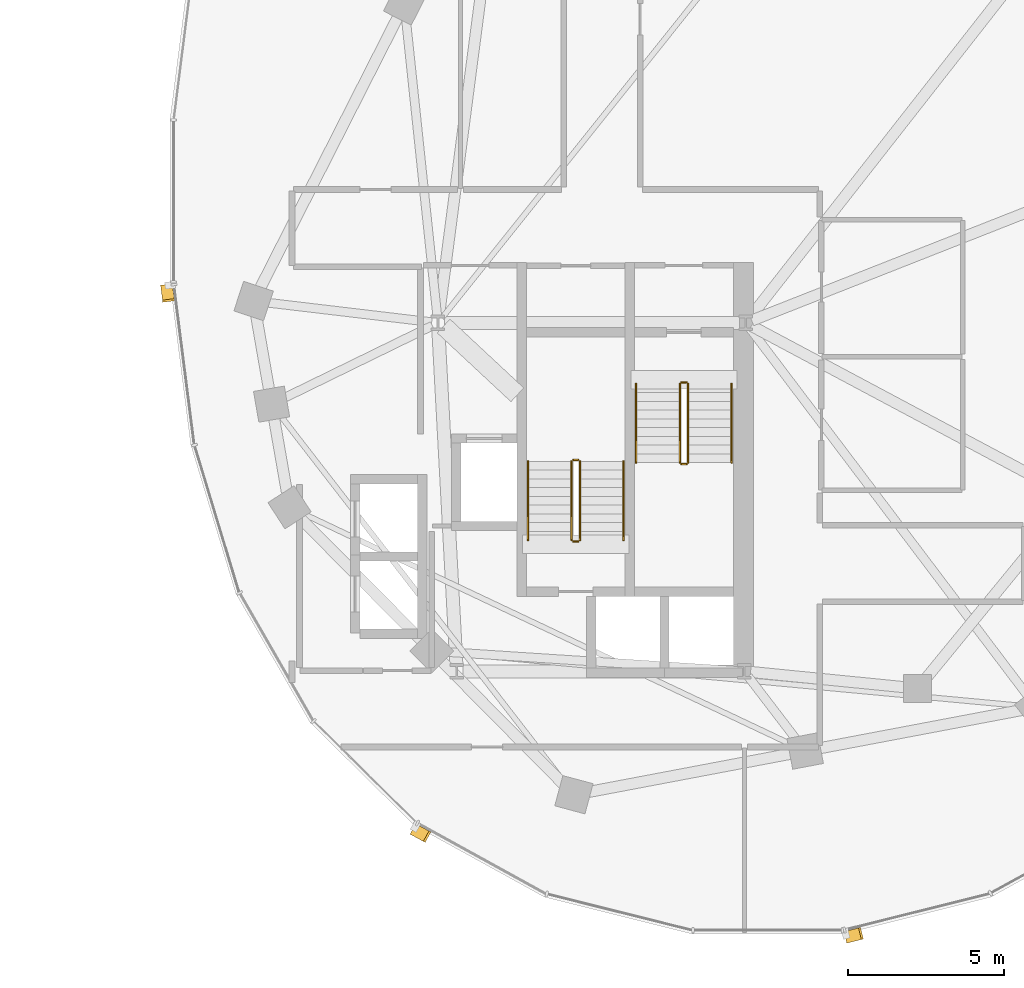
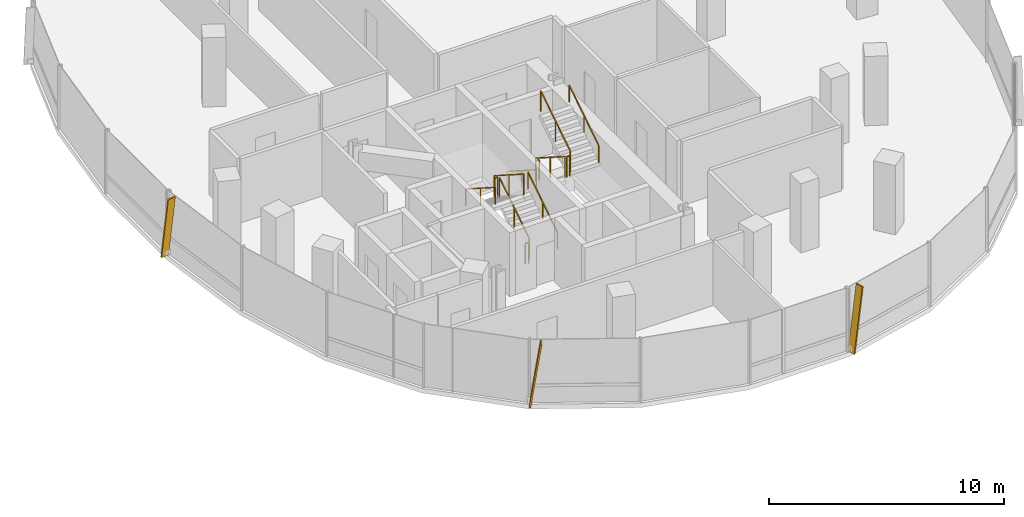
# One storey, part 20 of 21: 12 railings, 3 shading devices.
"""IFC4 building model written with IfcOpenShell, lengths in metres."""

from ifc_helpers import new_model, si_unit, direction, frame, origin, origin_2d, place, context, subcontext, project, spatial, rectangle, extrude, material, material_profile, profile_set, type_object, element, save


model = new_model("IFC4")

# Units and contexts
model_context = context("Model", 3, precision=1e-05, world=origin(), true_north=direction((0.0, 1.0)))
body_context = subcontext(model_context, "Body", "Model", "MODEL_VIEW")
ifc_project = project(units=[si_unit("LENGTHUNIT", "METRE"), si_unit("AREAUNIT", "SQUARE_METRE"), si_unit("VOLUMEUNIT", "CUBIC_METRE"), si_unit("PLANEANGLEUNIT", "RADIAN"), si_unit("MASSUNIT", "GRAM", prefix="KILO"), si_unit("THERMODYNAMICTEMPERATUREUNIT", "KELVIN"), si_unit("POWERUNIT", "WATT")], contexts=[model_context])

# Site, building, storey
site_placement = place(None, origin())
site = spatial("IfcSite", under=ifc_project, at=site_placement, CompositionType="ELEMENT")
building_placement = place(site_placement, origin())
building = spatial("IfcBuilding", under=site, at=building_placement, Name="Cundina Bronze Exchange", CompositionType="ELEMENT")
storey_placement = place(building_placement, frame((0.0, 0.0, 183.60009765625)))
storey = spatial("IfcBuildingStorey", under=building, at=storey_placement, Name="L48", CompositionType="ELEMENT", Elevation=183.60009765625)

# Railings
ifc_material_1 = material(Name="Steel ASTM A36 Painted", Category="steel")
railing_type_1 = type_object("IfcRailingType", Name="RLG-HND-900", PredefinedType="HANDRAIL", material=ifc_material_1)
railing_1_placement = place(storey_placement, frame((27.7900390625, -5.85009765625, 0.179931640625)))
element("IfcRailing", 1, at=railing_1_placement, inside=storey, type_object=railing_type_1, Name="L48 ST-E1 stair handrail 1", PredefinedType="HANDRAIL", context=body_context, shape_type="SweptSolid", body=[
    extrude(rectangle(XDim=0.048095703125, YDim=0.048095703125, at=origin_2d()), frame((0.0, 0.0, 0.8759765625), z_axis=(0.0, -0.841199657755, 0.540724639528), x_axis=(1.0, 0.0, 0.0)), (0.0, 0.0, 1.0), 2.995849609375),
    extrude(rectangle(XDim=0.0419921875, YDim=0.0419921875, at=origin_2d()), origin(), (0.0, 0.0, 1.0), 0.851806640625),
    extrude(rectangle(XDim=0.0419921875, YDim=0.0419921875, at=origin_2d()), frame((0.0, -1.260009765625, 0.81005859375)), (0.0, 0.0, 1.0), 0.851806640625),
    extrude(rectangle(XDim=0.0419921875, YDim=0.0419921875, at=origin_2d()), frame((0.0, -2.52001953125, 1.619873046875)), (0.0, 0.0, 1.0), 0.851806640625),
])
for number, where, name in (
    (2, (30.85009765625, -8.3701171875, 1.97998046875), "L48 ST-E1 stair handrail 2"),
    (3, (27.389892578125, -10.85009765625, 0.179931640625), "L48 ST-E2 stair handrail 1"),
):
    element("IfcRailing", number, at=place(storey_placement, frame(where)), inside=storey, type_object=railing_type_1, Name=name, PredefinedType="HANDRAIL", context=body_context, shape_type="SweptSolid", body=[
        extrude(rectangle(XDim=0.048095703125, YDim=0.048095703125, at=origin_2d()), frame((0.0, 0.0, 0.8759765625), z_axis=(0.0, 0.841199657755, 0.540724639528), x_axis=(-1.0, 0.0, 0.0)), (0.0, 0.0, 1.0), 2.995849609375),
        extrude(rectangle(XDim=0.0419921875, YDim=0.0419921875, at=origin_2d()), origin(), (0.0, 0.0, 1.0), 0.851806640625),
        extrude(rectangle(XDim=0.0419921875, YDim=0.0419921875, at=origin_2d()), frame((0.0, 1.260009765625, 0.81005859375)), (0.0, 0.0, 1.0), 0.851806640625),
        extrude(rectangle(XDim=0.0419921875, YDim=0.0419921875, at=origin_2d()), frame((0.0, 2.52001953125, 1.619873046875)), (0.0, 0.0, 1.0), 0.851806640625),
    ])
railing_2_placement = place(storey_placement, frame((24.330078125, -8.330078125, 1.97998046875)))
element("IfcRailing", 4, at=railing_2_placement, inside=storey, type_object=railing_type_1, Name="L48 ST-E2 stair handrail 2", PredefinedType="HANDRAIL", context=body_context, shape_type="SweptSolid", body=[
    extrude(rectangle(XDim=0.048095703125, YDim=0.048095703125, at=origin_2d()), frame((0.0, 0.0, 0.8759765625), z_axis=(0.0, -0.841199657755, 0.540724639528), x_axis=(1.0, 0.0, 0.0)), (0.0, 0.0, 1.0), 2.995849609375),
    extrude(rectangle(XDim=0.0419921875, YDim=0.0419921875, at=origin_2d()), origin(), (0.0, 0.0, 1.0), 0.851806640625),
    extrude(rectangle(XDim=0.0419921875, YDim=0.0419921875, at=origin_2d()), frame((0.0, -1.260009765625, 0.81005859375)), (0.0, 0.0, 1.0), 0.851806640625),
    extrude(rectangle(XDim=0.0419921875, YDim=0.0419921875, at=origin_2d()), frame((0.0, -2.52001953125, 1.619873046875)), (0.0, 0.0, 1.0), 0.851806640625),
])
railing_type_2 = type_object("IfcRailingType", Name="RLG-STG-1100", PredefinedType="GUARDRAIL", material=ifc_material_1)
railing_3_placement = place(storey_placement, frame((29.18994140625, -5.85009765625, 0.179931640625)))
element("IfcRailing", 5, at=railing_3_placement, inside=storey, type_object=railing_type_2, Name="L48 ST-E1 stair guard 1", PredefinedType="GUARDRAIL", context=body_context, shape_type="SweptSolid", body=[
    extrude(rectangle(XDim=0.048095703125, YDim=0.048095703125, at=origin_2d()), frame((0.0, 0.0, 1.076171875), z_axis=(0.0, -0.841199657755, 0.540724639528), x_axis=(1.0, 0.0, 0.0)), (0.0, 0.0, 1.0), 2.995849609375),
    extrude(rectangle(XDim=0.0419921875, YDim=0.0419921875, at=origin_2d()), origin(), (0.0, 0.0, 1.0), 1.052001953125),
    extrude(rectangle(XDim=0.0419921875, YDim=0.0419921875, at=origin_2d()), frame((0.0, -1.260009765625, 0.81005859375)), (0.0, 0.0, 1.0), 1.052001953125),
    extrude(rectangle(XDim=0.0419921875, YDim=0.0419921875, at=origin_2d()), frame((0.0, -2.52001953125, 1.619873046875)), (0.0, 0.0, 1.0), 1.052001953125),
])
railing_4_placement = place(storey_placement, frame((29.239990234375, -8.419921875, 1.7998046875)))
element("IfcRailing", 6, at=railing_4_placement, inside=storey, type_object=railing_type_2, Name="L48 ST-E1 stair guard 2", PredefinedType="GUARDRAIL", context=body_context, shape_type="SweptSolid", body=[
    extrude(rectangle(XDim=0.048095703125, YDim=0.048095703125, at=origin_2d()), frame((0.0, 0.0, 1.076171875), z_axis=(1.0, 0.0, 0.0), x_axis=(0.0, 1.0, 0.0)), (0.0, 0.0, 1.0), 0.159912109375),
    extrude(rectangle(XDim=0.0419921875, YDim=0.0419921875, at=origin_2d()), origin(), (0.0, 0.0, 1.0), 1.052001953125),
    extrude(rectangle(XDim=0.0419921875, YDim=0.0419921875, at=origin_2d()), frame((0.159912109375, 0.0, 0.0)), (0.0, 0.0, 1.0), 1.052001953125),
])
railing_5_placement = place(storey_placement, frame((29.449951171875, -8.3701171875, 1.97998046875)))
element("IfcRailing", 7, at=railing_5_placement, inside=storey, type_object=railing_type_2, Name="L48 ST-E1 stair guard 3", PredefinedType="GUARDRAIL", context=body_context, shape_type="SweptSolid", body=[
    extrude(rectangle(XDim=0.048095703125, YDim=0.048095703125, at=origin_2d()), frame((0.0, 0.0, 1.076171875), z_axis=(0.0, 0.841199657755, 0.540724639528), x_axis=(-1.0, 0.0, 0.0)), (0.0, 0.0, 1.0), 2.995849609375),
    extrude(rectangle(XDim=0.0419921875, YDim=0.0419921875, at=origin_2d()), origin(), (0.0, 0.0, 1.0), 1.052001953125),
    extrude(rectangle(XDim=0.0419921875, YDim=0.0419921875, at=origin_2d()), frame((0.0, 1.260009765625, 0.81005859375)), (0.0, 0.0, 1.0), 1.052001953125),
    extrude(rectangle(XDim=0.0419921875, YDim=0.0419921875, at=origin_2d()), frame((0.0, 2.52001953125, 1.619873046875)), (0.0, 0.0, 1.0), 1.052001953125),
])
railing_6_placement = place(storey_placement, frame((29.239990234375, -5.800048828125, 0.0)))
element("IfcRailing", 8, at=railing_6_placement, inside=storey, type_object=railing_type_2, Name="L48 ST-E1 stair guard 4", PredefinedType="GUARDRAIL", context=body_context, shape_type="SweptSolid", body=[
    extrude(rectangle(XDim=0.048095703125, YDim=0.048095703125, at=origin_2d()), frame((0.0, 0.0, 1.076171875), z_axis=(1.0, 0.0, 0.0), x_axis=(0.0, 1.0, 0.0)), (0.0, 0.0, 1.0), 0.159912109375),
    extrude(rectangle(XDim=0.0419921875, YDim=0.0419921875, at=origin_2d()), origin(), (0.0, 0.0, 1.0), 1.052001953125),
    extrude(rectangle(XDim=0.0419921875, YDim=0.0419921875, at=origin_2d()), frame((0.159912109375, 0.0, 0.0)), (0.0, 0.0, 1.0), 1.052001953125),
])
railing_7_placement = place(storey_placement, frame((25.989990234375, -10.85009765625, 0.179931640625)))
element("IfcRailing", 9, at=railing_7_placement, inside=storey, type_object=railing_type_2, Name="L48 ST-E2 stair guard 1", PredefinedType="GUARDRAIL", context=body_context, shape_type="SweptSolid", body=[
    extrude(rectangle(XDim=0.048095703125, YDim=0.048095703125, at=origin_2d()), frame((0.0, 0.0, 1.076171875), z_axis=(0.0, 0.841199657755, 0.540724639528), x_axis=(-1.0, 0.0, 0.0)), (0.0, 0.0, 1.0), 2.995849609375),
    extrude(rectangle(XDim=0.0419921875, YDim=0.0419921875, at=origin_2d()), origin(), (0.0, 0.0, 1.0), 1.052001953125),
    extrude(rectangle(XDim=0.0419921875, YDim=0.0419921875, at=origin_2d()), frame((0.0, 1.260009765625, 0.81005859375)), (0.0, 0.0, 1.0), 1.052001953125),
    extrude(rectangle(XDim=0.0419921875, YDim=0.0419921875, at=origin_2d()), frame((0.0, 2.52001953125, 1.619873046875)), (0.0, 0.0, 1.0), 1.052001953125),
])
railing_8_placement = place(storey_placement, frame((25.93994140625, -8.280029296875, 1.7998046875)))
element("IfcRailing", 10, at=railing_8_placement, inside=storey, type_object=railing_type_2, Name="L48 ST-E2 stair guard 2", PredefinedType="GUARDRAIL", context=body_context, shape_type="SweptSolid", body=[
    extrude(rectangle(XDim=0.048095703125, YDim=0.048095703125, at=origin_2d()), frame((0.0, 0.0, 1.076171875), z_axis=(-1.0, 0.0, 0.0), x_axis=(0.0, -1.0, 0.0)), (0.0, 0.0, 1.0), 0.159912109375),
    extrude(rectangle(XDim=0.0419921875, YDim=0.0419921875, at=origin_2d()), origin(), (0.0, 0.0, 1.0), 1.052001953125),
    extrude(rectangle(XDim=0.0419921875, YDim=0.0419921875, at=origin_2d()), frame((-0.159912109375, 0.0, 0.0)), (0.0, 0.0, 1.0), 1.052001953125),
])
railing_9_placement = place(storey_placement, frame((25.72998046875, -8.330078125, 1.97998046875)))
element("IfcRailing", 11, at=railing_9_placement, inside=storey, type_object=railing_type_2, Name="L48 ST-E2 stair guard 3", PredefinedType="GUARDRAIL", context=body_context, shape_type="SweptSolid", body=[
    extrude(rectangle(XDim=0.048095703125, YDim=0.048095703125, at=origin_2d()), frame((0.0, 0.0, 1.076171875), z_axis=(0.0, -0.841199657755, 0.540724639528), x_axis=(1.0, 0.0, 0.0)), (0.0, 0.0, 1.0), 2.995849609375),
    extrude(rectangle(XDim=0.0419921875, YDim=0.0419921875, at=origin_2d()), origin(), (0.0, 0.0, 1.0), 1.052001953125),
    extrude(rectangle(XDim=0.0419921875, YDim=0.0419921875, at=origin_2d()), frame((0.0, -1.260009765625, 0.81005859375)), (0.0, 0.0, 1.0), 1.052001953125),
    extrude(rectangle(XDim=0.0419921875, YDim=0.0419921875, at=origin_2d()), frame((0.0, -2.52001953125, 1.619873046875)), (0.0, 0.0, 1.0), 1.052001953125),
])
railing_10_placement = place(storey_placement, frame((25.93994140625, -10.89990234375, 0.0)))
element("IfcRailing", 12, at=railing_10_placement, inside=storey, type_object=railing_type_2, Name="L48 ST-E2 stair guard 4", PredefinedType="GUARDRAIL", context=body_context, shape_type="SweptSolid", body=[
    extrude(rectangle(XDim=0.048095703125, YDim=0.048095703125, at=origin_2d()), frame((0.0, 0.0, 1.076171875), z_axis=(-1.0, 0.0, 0.0), x_axis=(0.0, -1.0, 0.0)), (0.0, 0.0, 1.0), 0.159912109375),
    extrude(rectangle(XDim=0.0419921875, YDim=0.0419921875, at=origin_2d()), origin(), (0.0, 0.0, 1.0), 1.052001953125),
    extrude(rectangle(XDim=0.0419921875, YDim=0.0419921875, at=origin_2d()), frame((-0.159912109375, 0.0, 0.0)), (0.0, 0.0, 1.0), 1.052001953125),
])

# Shading devices
ifc_material_2 = material(Name="Anodised Bronze Aluminium 6063-T6", Category="aluminium")
ifc_material_profile = material_profile(ifc_material_2, rectangle(XDim=0.070068359375, YDim=0.3798828125, at=origin_2d()), Name="FIN70X380", Category="aluminium")
ifc_profile_set = profile_set([ifc_material_profile], Name="Anodised Bronze Aluminium 6063-T6")
shading_device_type = type_object("IfcShadingDeviceType", Name="SHD-FIN-BRZ380", PredefinedType="USERDEFINED", material=ifc_profile_set)
for number, where, z_axis, x_axis, name in (
    (13, (12.76513671875, -2.705810546875, 0.02001953125), (0.018339743525, -0.143624497484, 0.989462307281), (-0.125329091025, 0.981492881519, 0.144790685025), "L48 Diagonal Bronze Solar Fin 1"),
    (14, (20.679931640625, -20.11181640625, 0.02001953125), (0.1268316558, -0.069823699012, 0.989463684095), (-0.86679245373, 0.477188876966, 0.144781275918), "L48 Diagonal Bronze Solar Fin 5"),
    (15, (34.51953125, -23.556396484375, 0.02001953125), (0.140457516237, 0.035132792473, 0.989463174163), (-0.959890661387, -0.240098503137, 0.14478476085), "L48 Diagonal Bronze Solar Fin 1"),
):
    element("IfcShadingDevice", number, at=place(storey_placement, frame(where, z_axis=z_axis, x_axis=x_axis)), inside=storey, type_object=shading_device_type, Name=name, ObjectType="FIN", PredefinedType="USERDEFINED", context=body_context, shape_type="SweptSolid", body=[
        extrude(rectangle(XDim=0.070068359375, YDim=0.3798828125, at=origin_2d()), origin(), (0.0, 0.0, 1.0), 3.314697265625),
    ])

save(model, "model.ifc")
